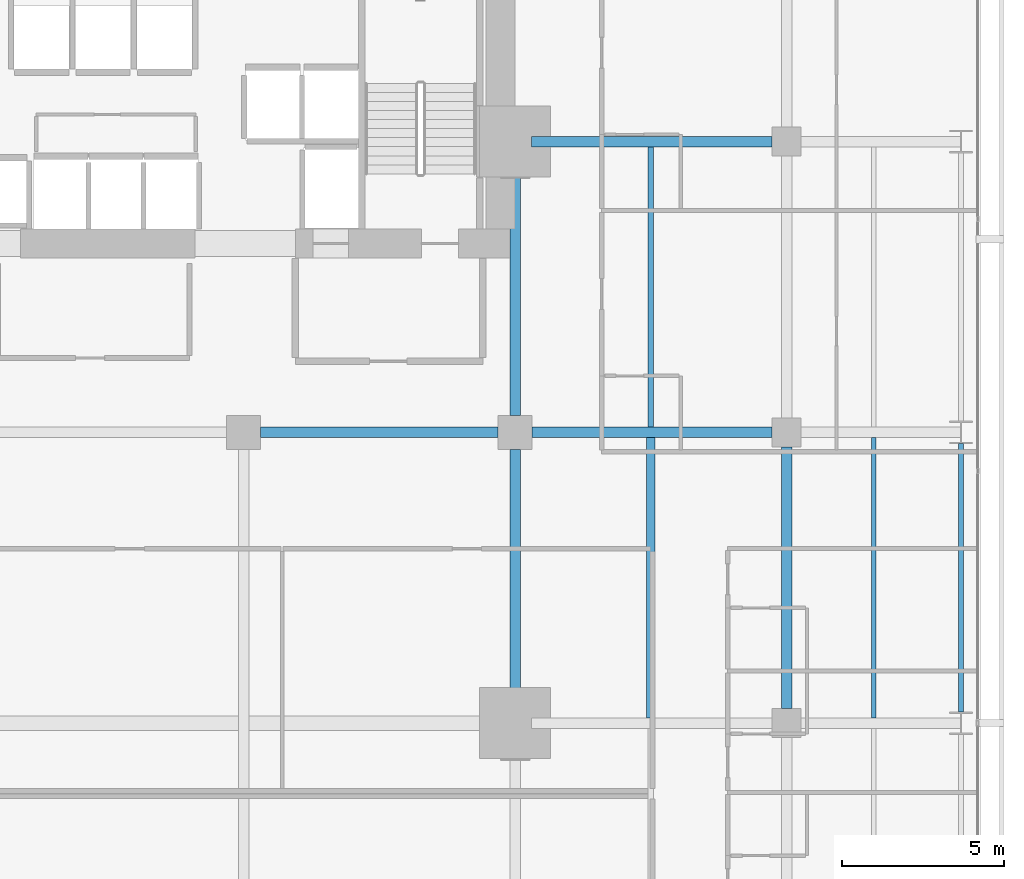
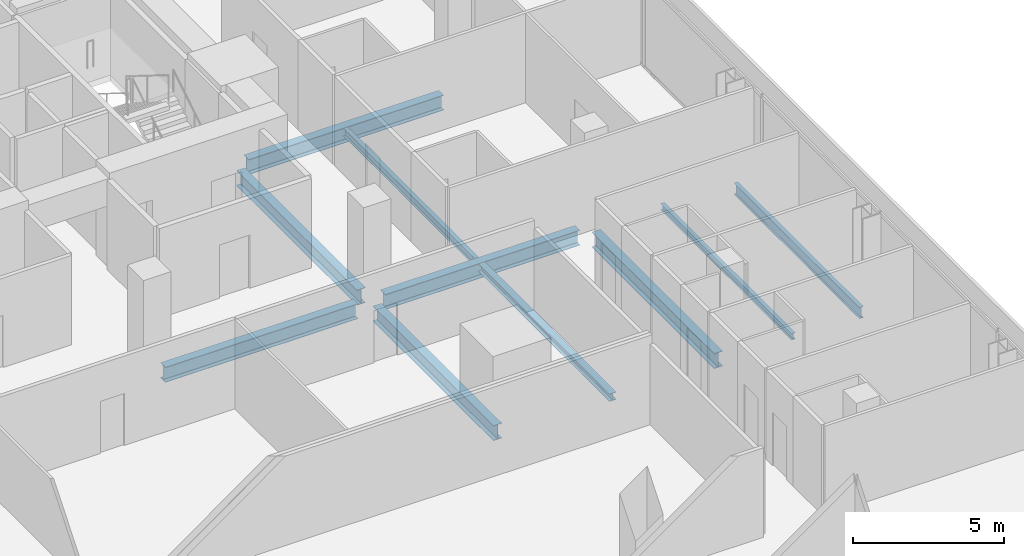
# One storey, part 27 of 40: 10 beams.
"""IFC4 building model written with IfcOpenShell, lengths in metres."""

from ifc_helpers import new_model, si_unit, direction, frame, origin, origin_2d, place, context, subcontext, project, spatial, i_section, extrude, material, material_profile, profile_set, type_object, element, save


model = new_model("IFC4")

# Units and contexts
model_context = context("Model", 3, precision=1e-05, world=origin(), true_north=direction((0.0, 1.0)))
body_context = subcontext(model_context, "Body", "Model", "MODEL_VIEW")
ifc_project = project(units=[si_unit("LENGTHUNIT", "METRE"), si_unit("AREAUNIT", "SQUARE_METRE"), si_unit("VOLUMEUNIT", "CUBIC_METRE"), si_unit("PLANEANGLEUNIT", "RADIAN"), si_unit("MASSUNIT", "GRAM", prefix="KILO")], contexts=[model_context])

# Site, building, storey
site_placement = place(None, origin())
site = spatial("IfcSite", under=ifc_project, at=site_placement, CompositionType="ELEMENT")
building_placement = place(site_placement, origin())
building = spatial("IfcBuilding", under=site, at=building_placement, Name="Maruvema Waterfront Hotel and Observation Tower", CompositionType="ELEMENT")
storey_placement = place(building_placement, frame((0.0, 0.0, 100.10009765625)))
storey = spatial("IfcBuildingStorey", under=building, at=storey_placement, Name="L24", CompositionType="ELEMENT", Elevation=100.10009765625)

# Beams
ifc_material_1 = material(Name="Steel ASTM A572 Grade 50", Category="steel")
ifc_material_profile_1 = material_profile(ifc_material_1, i_section(OverallWidth=0.153076171875, OverallDepth=0.455078125, WebThickness=0.008056640625, FlangeThickness=0.01318359375, FilletRadius=0.014892578125, at=origin_2d()), Name="W460x60.0")
ifc_profile_set_1 = profile_set([ifc_material_profile_1], Name="Steel ASTM A572 Grade 50")
beam_type_1 = type_object("IfcBeamType", Name="Perimeter Spandrel Beam W460x60.0", PredefinedType="SPANDREL", material=ifc_profile_set_1)
beam_1_placement = place(storey_placement, frame((64.199951171875, 27.35009765625, -0.467529296875), z_axis=(0.0, 1.0, 0.0), x_axis=(-1.0, 0.0, 0.0)))
element("IfcBeam", 1, at=beam_1_placement, inside=storey, type_object=beam_type_1, Name="L24 Floor Girder NS-35", PredefinedType="SPANDREL", context=body_context, shape_type="SweptSolid", body=[
    extrude(i_section(OverallWidth=0.153076171875, OverallDepth=0.455078125, WebThickness=0.008056640625, FlangeThickness=0.01318359375, FilletRadius=0.014892578125, at=origin_2d()), origin(), (0.0, 0.0, 1.0), 8.2998046875),
])
ifc_material_2 = material(Name="Steel ASTM A572 Grade 50", Category="steel")
ifc_material_profile_2 = material_profile(ifc_material_2, i_section(OverallWidth=0.323974609375, OverallDepth=0.611083984375, WebThickness=0.0126953125, FlangeThickness=0.01904296875, FilletRadius=0.01806640625, at=origin_2d()), Name="W610x155.0")
ifc_profile_set_2 = profile_set([ifc_material_profile_2], Name="Steel ASTM A572 Grade 50")
beam_type_2 = type_object("IfcBeamType", Name="Primary Floor Girder W610x155.0", PredefinedType="BEAM", material=ifc_profile_set_2)
beam_2_placement = place(storey_placement, frame((42.52490234375, 36.0, -0.545654296875), z_axis=(1.0, 0.0, 0.0), x_axis=(0.0, 1.0, 0.0)))
element("IfcBeam", 2, at=beam_2_placement, inside=storey, type_object=beam_type_2, Name="L24 Floor Girder EW-29", PredefinedType="BEAM", context=body_context, shape_type="SweptSolid", body=[
    extrude(i_section(OverallWidth=0.323974609375, OverallDepth=0.611083984375, WebThickness=0.0126953125, FlangeThickness=0.01904296875, FilletRadius=0.01806640625, at=origin_2d()), origin(), (0.0, 0.0, 1.0), 7.35009765625),
])
beam_3_placement = place(storey_placement, frame((50.925048828125, 36.0, -0.545654296875), z_axis=(1.0, 0.0, 0.0), x_axis=(0.0, 1.0, 0.0)))
element("IfcBeam", 3, at=beam_3_placement, inside=storey, type_object=beam_type_2, Name="L24 Floor Girder EW-30", PredefinedType="BEAM", context=body_context, shape_type="SweptSolid", body=[
    extrude(i_section(OverallWidth=0.323974609375, OverallDepth=0.611083984375, WebThickness=0.0126953125, FlangeThickness=0.01904296875, FilletRadius=0.01806640625, at=origin_2d()), origin(), (0.0, 0.0, 1.0), 7.425048828125),
])
beam_4_placement = place(storey_placement, frame((50.89990234375, 45.0, -0.545654296875), z_axis=(1.0, 0.0, 0.0), x_axis=(0.0, 1.0, 0.0)))
element("IfcBeam", 4, at=beam_4_placement, inside=storey, type_object=beam_type_2, Name="L24 Floor Girder EW-34", PredefinedType="BEAM", context=body_context, shape_type="SweptSolid", body=[
    extrude(i_section(OverallWidth=0.323974609375, OverallDepth=0.611083984375, WebThickness=0.0126953125, FlangeThickness=0.01904296875, FilletRadius=0.01806640625, at=origin_2d()), origin(), (0.0, 0.0, 1.0), 7.4501953125),
])
for number, where, z_axis, x_axis, name in (
    (5, (50.39990234375, 27.5, -0.545654296875), (0.0, 1.0, 0.0), (-1.0, 0.0, 0.0), "L24 Floor Girder NS-25"),
    (6, (50.39990234375, 36.52490234375, -0.545654296875), (0.0, 1.0, 0.0), (-1.0, 0.0, 0.0), "L24 Floor Girder NS-26"),
):
    element("IfcBeam", number, at=place(storey_placement, frame(where, z_axis=z_axis, x_axis=x_axis)), inside=storey, type_object=beam_type_2, Name=name, PredefinedType="BEAM", context=body_context, shape_type="SweptSolid", body=[
        extrude(i_section(OverallWidth=0.323974609375, OverallDepth=0.611083984375, WebThickness=0.0126953125, FlangeThickness=0.01904296875, FilletRadius=0.01806640625, at=origin_2d()), origin(), (0.0, 0.0, 1.0), 7.97509765625),
    ])
beam_5_placement = place(storey_placement, frame((58.800048828125, 27.449951171875, -0.545654296875), z_axis=(0.0, 1.0, 0.0), x_axis=(-1.0, 0.0, 0.0)))
element("IfcBeam", 7, at=beam_5_placement, inside=storey, type_object=beam_type_2, Name="L24 Floor Girder NS-30", PredefinedType="BEAM", context=body_context, shape_type="SweptSolid", body=[
    extrude(i_section(OverallWidth=0.323974609375, OverallDepth=0.611083984375, WebThickness=0.0126953125, FlangeThickness=0.01904296875, FilletRadius=0.01806640625, at=origin_2d()), origin(), (0.0, 0.0, 1.0), 8.10009765625),
])
ifc_material_3 = material(Name="Steel ASTM A572 Grade 50", Category="steel")
ifc_material_profile_3 = material_profile(ifc_material_3, i_section(OverallWidth=0.14599609375, OverallDepth=0.258056640625, WebThickness=0.006103515625, FlangeThickness=0.009033203125, FilletRadius=0.012939453125, at=origin_2d()), Name="W250x32.7")
ifc_profile_set_3 = profile_set([ifc_material_profile_3], Name="Steel ASTM A572 Grade 50")
beam_type_3 = type_object("IfcBeamType", Name="Secondary Floor Joist W250x32.7", PredefinedType="JOIST", material=ifc_profile_set_3)
beam_6_placement = place(storey_placement, frame((61.5, 27.162109375, -0.369140625), z_axis=(0.0, 1.0, 0.0), x_axis=(-1.0, 0.0, 0.0)))
element("IfcBeam", 8, at=beam_6_placement, inside=storey, type_object=beam_type_3, Name="L24 Secondary Floor Joist JS-23", PredefinedType="JOIST", context=body_context, shape_type="SweptSolid", body=[
    extrude(i_section(OverallWidth=0.14599609375, OverallDepth=0.258056640625, WebThickness=0.006103515625, FlangeThickness=0.009033203125, FilletRadius=0.012939453125, at=origin_2d()), origin(), (0.0, 0.0, 1.0), 8.67578125),
])
ifc_material_4 = material(Name="Steel ASTM A572 Grade 50", Category="steel")
ifc_material_profile_4 = material_profile(ifc_material_4, i_section(OverallWidth=0.1669921875, OverallDepth=0.31689453125, WebThickness=0.007568359375, FlangeThickness=0.01318359375, FilletRadius=0.012939453125, at=origin_2d()), Name="W310x52.0")
ifc_profile_set_4 = profile_set([ifc_material_profile_4], Name="Steel ASTM A572 Grade 50")
beam_type_4 = type_object("IfcBeamType", Name="Secondary Floor Joist W310x52.0", PredefinedType="JOIST", material=ifc_profile_set_4)
beam_7_placement = place(storey_placement, frame((54.60009765625, 36.162109375, -0.398681640625), z_axis=(0.0, 1.0, 0.0), x_axis=(-1.0, 0.0, 0.0)))
element("IfcBeam", 9, at=beam_7_placement, inside=storey, type_object=beam_type_4, Name="L24 Secondary Floor Joist JS-20", PredefinedType="JOIST", context=body_context, shape_type="SweptSolid", body=[
    extrude(i_section(OverallWidth=0.1669921875, OverallDepth=0.31689453125, WebThickness=0.007568359375, FlangeThickness=0.01318359375, FilletRadius=0.012939453125, at=origin_2d()), origin(), (0.0, 0.0, 1.0), 8.67578125),
])
ifc_material_5 = material(Name="Steel ASTM A572 Grade 50", Category="steel")
ifc_material_profile_5 = material_profile(ifc_material_5, i_section(OverallWidth=0.25390625, OverallDepth=0.305908203125, WebThickness=0.0087890625, FlangeThickness=0.0146484375, FilletRadius=0.014892578125, at=origin_2d()), Name="W310x79.0")
ifc_profile_set_5 = profile_set([ifc_material_profile_5], Name="Steel ASTM A572 Grade 50")
beam_type_5 = type_object("IfcBeamType", Name="Secondary Floor Joist W310x79.0", PredefinedType="JOIST", material=ifc_profile_set_5)
beam_8_placement = place(storey_placement, frame((54.60009765625, 27.162109375, -0.39306640625), z_axis=(0.0, 1.0, 0.0), x_axis=(-1.0, 0.0, 0.0)))
element("IfcBeam", 10, at=beam_8_placement, inside=storey, type_object=beam_type_5, Name="L24 Secondary Floor Joist JS-19", PredefinedType="JOIST", context=body_context, shape_type="SweptSolid", body=[
    extrude(i_section(OverallWidth=0.25390625, OverallDepth=0.305908203125, WebThickness=0.0087890625, FlangeThickness=0.0146484375, FilletRadius=0.014892578125, at=origin_2d()), origin(), (0.0, 0.0, 1.0), 8.67578125),
])

save(model, "model.ifc")
